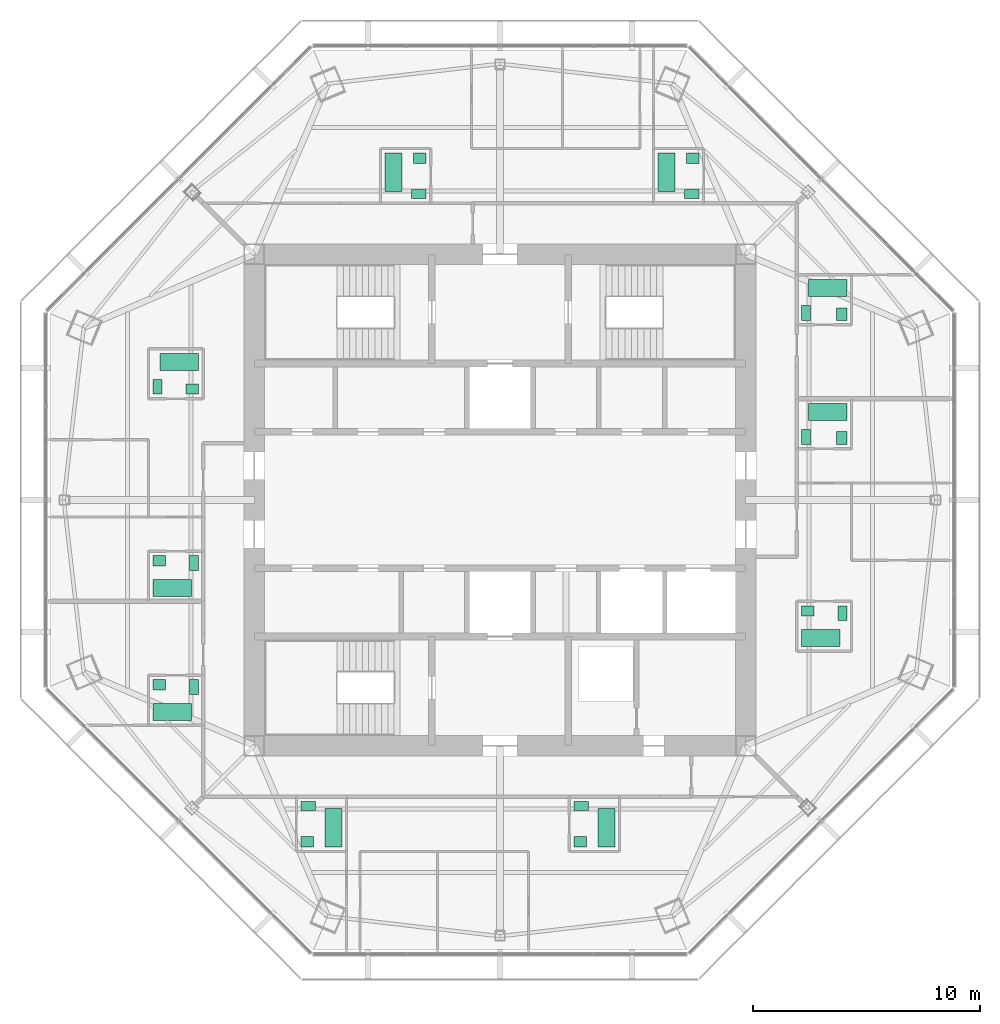
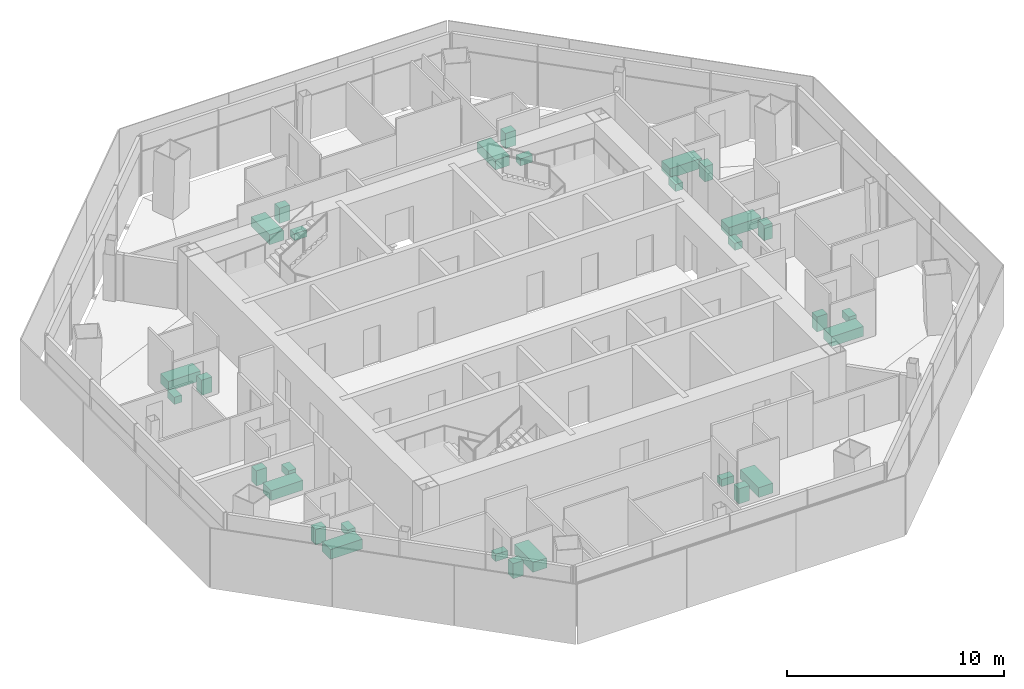
# One storey, part 14 of 14: 30 sanitary terminals.
"""IFC4 building model written with IfcOpenShell, lengths in metres."""

import ifcopenshell
import ifcopenshell.guid

model = None  # the IFC model being written
_history = None  # IfcOwnerHistory: only IFC2X3 demands one
_inside = {}  # id of a spatial element -> (the spatial element, [elements in it])
_under = {}  # id of a project, library or spatial element -> (it, [spatial elements below it])
_declared = {}  # id of a project -> (the project, [libraries it declares])
_typed = {}  # id of a type object -> (the type object, [elements of that type])
_made_of = {}  # id of a material, layer set ... -> (it, [elements and type objects made of it])


def new_model(schema):
    """Start an empty IFC model of exactly this schema.

    Asked for "IFC4X3", IfcOpenShell would pick the latest addendum, in which some entities
    have other attributes; the version numbers below select the first issue.
    IFC2X3 requires an IfcOwnerHistory on every rooted entity: one is made here for all.
    """
    global model, _history
    if schema == "IFC4X3":
        model = ifcopenshell.file(schema_version=(4, 3, 0, 0))
    else:
        model = ifcopenshell.file(schema=schema)
    _inside.clear()
    _under.clear()
    _declared.clear()
    _typed.clear()
    _made_of.clear()
    _history = None
    if model.schema == "IFC2X3":
        org = make("IfcOrganization", Name="unknown")
        user = make(
            "IfcPersonAndOrganization",
            ThePerson=make("IfcPerson", FamilyName="unknown"),
            TheOrganization=org,
        )
        app = make(
            "IfcApplication",
            ApplicationDeveloper=org,
            Version="unknown",
            ApplicationFullName="unknown",
            ApplicationIdentifier="unknown",
        )
        _history = make(
            "IfcOwnerHistory",
            OwningUser=user,
            OwningApplication=app,
            ChangeAction="ADDED",
            CreationDate=0,
        )
    return model


def make(cls, **values):
    """One entity of the class cls with the attributes given. An attribute that is None is left unset."""
    return model.create_entity(
        cls, **{name: value for name, value in values.items() if value is not None}
    )


def rooted(cls, **values):
    """An entity with a GlobalId (a new one), such as an element, a storey or a relation."""
    return make(cls, GlobalId=ifcopenshell.guid.new(), OwnerHistory=_history, **values)


def si_unit(unit_type, name, prefix=None):
    """IfcSIUnit, for example si_unit("LENGTHUNIT", "METRE", prefix="MILLI")."""
    return make("IfcSIUnit", UnitType=unit_type, Prefix=prefix, Name=name)


def assignment(units):
    """IfcUnitAssignment: the units of a project."""
    return None if units is None else make("IfcUnitAssignment", Units=units)


def point(xyz):
    """IfcCartesianPoint."""
    return None if xyz is None else make("IfcCartesianPoint", Coordinates=xyz)


def direction(xyz):
    """IfcDirection."""
    return None if xyz is None else make("IfcDirection", DirectionRatios=xyz)


def frame(location, z_axis=None, x_axis=None):
    """IfcAxis2Placement3D, a coordinate frame: its origin and axes. An axis left out is left unset."""
    return make(
        "IfcAxis2Placement3D",
        Location=point(location),
        Axis=direction(z_axis),
        RefDirection=direction(x_axis),
    )


def frame_2d(location, x_axis=None):
    """IfcAxis2Placement2D, a coordinate frame in the plane: its origin and x axis."""
    return make(
        "IfcAxis2Placement2D", Location=point(location), RefDirection=direction(x_axis)
    )


def origin():
    """The frame at (0, 0, 0) with its axes left unset."""
    return frame((0.0, 0.0, 0.0))


def origin_2d():
    """The frame at (0, 0) in the plane with its x axis left unset."""
    return frame_2d((0.0, 0.0))


def place(relative_to, where):
    """IfcLocalPlacement: puts the frame where relative to a parent placement (None: the world)."""
    return make(
        "IfcLocalPlacement", PlacementRelTo=relative_to, RelativePlacement=where
    )


def context(
    kind, dimensions, precision=None, world=None, true_north=None, identifier=None
):
    """IfcGeometricRepresentationContext, for example the 3D "Model" context."""
    return make(
        "IfcGeometricRepresentationContext",
        ContextIdentifier=identifier,
        ContextType=kind,
        CoordinateSpaceDimension=dimensions,
        Precision=precision,
        WorldCoordinateSystem=world,
        TrueNorth=true_north,
    )


def subcontext(parent, identifier, kind, view, scale=None):
    """IfcGeometricRepresentationSubContext, for example "Body" below "Model"."""
    return make(
        "IfcGeometricRepresentationSubContext",
        ContextIdentifier=identifier,
        ContextType=kind,
        ParentContext=parent,
        TargetScale=scale,
        TargetView=view,
    )


def project(units=None, contexts=None):
    """IfcProject with its units and contexts."""
    return rooted(
        "IfcProject",
        Name="project",
        RepresentationContexts=contexts,
        UnitsInContext=assignment(units),
    )


def spatial(cls, under=None, at=None, **own):
    """A site, building, storey or space (cls), placed at a placement, below another one or the project."""
    s = rooted(cls, ObjectPlacement=at, **own)
    if under is not None:
        _under.setdefault(under.id(), (under, []))[1].append(s)
    return s


def profile(cls, at=None, kind="AREA", **sizes):
    """A parametric profile (cls). Its sizes go by their IFC names, for example OverallWidth=200.0."""
    return make(cls, ProfileType=kind, Position=at, **sizes)


def rectangle(**sizes):
    """IfcRectangleProfileDef."""
    return profile("IfcRectangleProfileDef", **sizes)


def extrude(swept, where, along, depth):
    """IfcExtrudedAreaSolid: the profile swept, set in the frame where, extruded along a direction by depth."""
    return make(
        "IfcExtrudedAreaSolid",
        SweptArea=swept,
        Position=where,
        ExtrudedDirection=direction(along),
        Depth=depth,
    )


def shape(context_of_items, identifier, shape_type, items):
    """IfcShapeRepresentation: the items that make up one representation, for example the "Body"."""
    return make(
        "IfcShapeRepresentation",
        ContextOfItems=context_of_items,
        RepresentationIdentifier=identifier,
        RepresentationType=shape_type,
        Items=items,
    )


def material(Name=None, Category=None):
    """IfcMaterial."""
    return make("IfcMaterial", Name=Name, Category=Category)


def made_of(thing, what):
    """Note that an element or type object is made of a material, layer set ...; save() writes the relation."""
    if what is not None:
        _made_of.setdefault(what.id(), (what, []))[1].append(thing)
    return thing


def type_object(cls, material=None, **own):
    """A type object (cls), such as IfcWallType, which elements share."""
    return made_of(rooted(cls, **own), material)


def element(
    cls,
    number,
    at=None,
    inside=None,
    cuts=None,
    type_object=None,
    material=None,
    context=None,
    identifier="Body",
    shape_type=None,
    held_by="IfcProductDefinitionShape",
    body=None,
    shapes=None,
    **own,
):
    """One element of the class cls, such as IfcWall. Its Tag is "e" and its number.

    at: its placement. inside: the storey or other place that contains it. cuts: it is an
    opening in that element (IfcRelVoidsElement). A single representation is given by context,
    identifier, shape_type and body (its items); several are given by shapes. held_by: the class
    of the entity that holds the representations. save() writes the other relations.
    """
    e = rooted(cls, Tag="e%d" % number, ObjectPlacement=at, **own)
    if body is not None:
        shapes = [shape(context, identifier, shape_type, body)]
    if shapes is not None:
        e.Representation = make(held_by, Representations=shapes)
    if inside is not None:
        _inside.setdefault(inside.id(), (inside, []))[1].append(e)
    if cuts is not None:
        rooted(
            "IfcRelVoidsElement", RelatingBuildingElement=cuts, RelatedOpeningElement=e
        )
    if type_object is not None:
        _typed.setdefault(type_object.id(), (type_object, []))[1].append(e)
    return made_of(e, material)


def aggregate(whole, parts):
    """IfcRelAggregates: a whole, such as a stair, and the parts it consists of."""
    return rooted("IfcRelAggregates", RelatingObject=whole, RelatedObjects=parts)


def save(model, path):
    """Write the relations noted so far, then the file.

    IfcRelAggregates (storeys below a building ...), IfcRelContainedInSpatialStructure (elements
    in a storey), IfcRelDefinesByType, IfcRelAssociatesMaterial and IfcRelDeclares: one each for
    every whole, place, type object, material and project.
    """
    for whole, parts in _under.values():
        aggregate(whole, parts)
    for where, things in _inside.values():
        rooted(
            "IfcRelContainedInSpatialStructure",
            RelatedElements=things,
            RelatingStructure=where,
        )
    for kind, things in _typed.values():
        rooted("IfcRelDefinesByType", RelatedObjects=things, RelatingType=kind)
    for what, things in _made_of.values():
        rooted("IfcRelAssociatesMaterial", RelatedObjects=things, RelatingMaterial=what)
    for by, libraries in _declared.values():
        rooted("IfcRelDeclares", RelatingContext=by, RelatedDefinitions=libraries)
    model.write(path)


model = new_model("IFC4")

# Units and contexts
model_context = context("Model", 3, precision=1e-05, world=origin(), true_north=direction((0.0, 1.0)))
body_context = subcontext(model_context, "Body", "Model", "MODEL_VIEW")
ifc_project = project(units=[si_unit("LENGTHUNIT", "METRE"), si_unit("AREAUNIT", "SQUARE_METRE"), si_unit("VOLUMEUNIT", "CUBIC_METRE"), si_unit("PLANEANGLEUNIT", "RADIAN"), si_unit("MASSUNIT", "GRAM", prefix="KILO")], contexts=[model_context])

# Site, building, storey
site_placement = place(None, origin())
site = spatial("IfcSite", under=ifc_project, at=site_placement, CompositionType="ELEMENT")
building_placement = place(site_placement, origin())
building = spatial("IfcBuilding", under=site, at=building_placement, Name="Mashrafa Tower", CompositionType="ELEMENT")
storey_placement = place(building_placement, frame((0.0, 0.0, 284.39990234375)))
storey = spatial("IfcBuildingStorey", under=building, at=storey_placement, Name="L69", CompositionType="ELEMENT", Elevation=284.39990234375)

# Sanitary terminals
ifc_material_1 = material(Name="Enamelled steel", Category="steel")
sanitary_terminal_type_1 = type_object("IfcSanitaryTerminalType", Name="Bath 1700 x 750", PredefinedType="BATH", material=ifc_material_1)
for number, where, z_axis, x_axis, name in (
    (1, (14.10009765625, -6.074951171875, 0.0), (0.0, 0.0, 1.0), (1.0, 0.0, 0.0), "Bath Apartment 6901 Bathroom"),
    (2, (14.39990234375, 3.875, 0.0), (0.0, 0.0, 1.0), (-1.0, 0.0, 0.0), "Bath Apartment 6901 En-suite Bathroom"),
    (3, (14.39990234375, 9.324951171875, 0.0), (0.0, 0.0, 1.0), (-1.0, 0.0, 0.0), "Bath Apartment 6902 Bathroom"),
    (4, (-4.675048828125, 14.39990234375, 0.0), (0.0, 0.0, 1.0), (0.0, -1.0, 0.0), "Bath Apartment 6903 Bathroom"),
    (5, (7.324951171875, 14.39990234375, 0.0), (0.0, 0.0, 1.0), (0.0, -1.0, 0.0), "Bath Apartment 6903 En-suite Bathroom"),
    (6, (-14.10009765625, 6.074951171875, 0.0), (0.0, 0.0, 1.0), (-1.0, 0.0, 0.0), "Bath Apartment 6904 Bathroom"),
    (7, (-14.39990234375, -3.875, 0.0), (0.0, 0.0, 1.0), (1.0, 0.0, 0.0), "Bath Apartment 6904 En-suite Bathroom"),
    (8, (-14.39990234375, -9.324951171875, 0.0), (0.0, 0.0, 1.0), (1.0, 0.0, 0.0), "Bath Apartment 6905 Bathroom"),
    (9, (4.675048828125, -14.39990234375, 0.0), (0.0, 0.0, 1.0), (0.0, 1.0, 0.0), "Bath Apartment 6906 Bathroom"),
    (10, (-7.324951171875, -14.39990234375, 0.0), (0.0, 0.0, 1.0), (0.0, 1.0, 0.0), "Bath Apartment 6906 En-suite Bathroom"),
):
    element("IfcSanitaryTerminal", number, at=place(storey_placement, frame(where, z_axis=z_axis, x_axis=x_axis)), inside=storey, type_object=sanitary_terminal_type_1, Name=name, PredefinedType="BATH", context=body_context, shape_type="SweptSolid", body=[
        extrude(rectangle(XDim=1.699951171875, YDim=0.75, at=origin_2d()), origin(), (0.0, 0.0, 1.0), 0.550048828125),
    ])
ifc_material_2 = material(Name="Vitreous china")
sanitary_terminal_type_2 = type_object("IfcSanitaryTerminalType", Name="Toilet pan 400 x 650", PredefinedType="TOILETPAN", material=ifc_material_2)
for number, where, z_axis, x_axis, name in (
    (11, (15.050048828125, -4.97509765625, 0.000244140625), (0.0, 0.0, 1.0), (-1.0, 0.0, 0.0), "Toilet pan Apartment 6901 Bathroom"),
    (12, (13.449951171875, 2.77490234375, 0.000244140625), (0.0, 0.0, 1.0), (1.0, 0.0, 0.0), "Toilet pan Apartment 6901 En-suite Bathroom"),
    (13, (13.449951171875, 8.22509765625, 0.000244140625), (0.0, 0.0, 1.0), (1.0, 0.0, 0.0), "Toilet pan Apartment 6902 Bathroom"),
    (14, (-3.574951171875, 13.449951171875, 0.000244140625), (0.0, 0.0, 1.0), (0.0, 1.0, 0.0), "Toilet pan Apartment 6903 Bathroom"),
    (15, (8.425048828125, 13.449951171875, 0.000244140625), (0.0, 0.0, 1.0), (0.0, 1.0, 0.0), "Toilet pan Apartment 6903 En-suite Bathroom"),
    (16, (-15.050048828125, 4.97509765625, 0.000244140625), (0.0, 0.0, 1.0), (1.0, 0.0, 0.0), "Toilet pan Apartment 6904 Bathroom"),
    (17, (-13.449951171875, -2.77490234375, 0.000244140625), (0.0, 0.0, 1.0), (-1.0, 0.0, 0.0), "Toilet pan Apartment 6904 En-suite Bathroom"),
    (18, (-13.449951171875, -8.22509765625, 0.000244140625), (0.0, 0.0, 1.0), (-1.0, 0.0, 0.0), "Toilet pan Apartment 6905 Bathroom"),
    (19, (3.574951171875, -13.449951171875, 0.000244140625), (0.0, 0.0, 1.0), (0.0, -1.0, 0.0), "Toilet pan Apartment 6906 Bathroom"),
    (20, (-8.425048828125, -13.449951171875, 0.000244140625), (0.0, 0.0, 1.0), (0.0, -1.0, 0.0), "Toilet pan Apartment 6906 En-suite Bathroom"),
):
    element("IfcSanitaryTerminal", number, at=place(storey_placement, frame(where, z_axis=z_axis, x_axis=x_axis)), inside=storey, type_object=sanitary_terminal_type_2, Name=name, PredefinedType="TOILETPAN", context=body_context, shape_type="SweptSolid", body=[
        extrude(rectangle(XDim=0.39990234375, YDim=0.64990234375, at=origin_2d()), origin(), (0.0, 0.0, 1.0), 0.39990234375),
    ])
ifc_material_3 = material(Name="Vitreous china")
sanitary_terminal_type_3 = type_object("IfcSanitaryTerminalType", Name="Wash basin 550 x 450", PredefinedType="WASHHANDBASIN", material=ifc_material_3)
for number, where, z_axis, x_axis, name in (
    (21, (13.52490234375, -4.875, 0.0), (0.0, 0.0, 1.0), (-1.0, 0.0, 0.0), "Wash basin Apartment 6901 Bathroom"),
    (22, (15.02490234375, 2.72509765625, 0.0), (0.0, 0.0, 1.0), (0.0, 1.0, 0.0), "Wash basin Apartment 6901 En-suite Bathroom"),
    (23, (15.02490234375, 8.175048828125, 0.0), (0.0, 0.0, 1.0), (0.0, 1.0, 0.0), "Wash basin Apartment 6902 Bathroom"),
    (24, (-3.52490234375, 15.02490234375, 0.0), (0.0, 0.0, 1.0), (-1.0, 0.0, 0.0), "Wash basin Apartment 6903 Bathroom"),
    (25, (8.47509765625, 15.02490234375, 0.0), (0.0, 0.0, 1.0), (-1.0, 0.0, 0.0), "Wash basin Apartment 6903 En-suite Bathroom"),
    (26, (-13.52490234375, 4.875, 0.0), (0.0, 0.0, 1.0), (1.0, 0.0, 0.0), "Wash basin Apartment 6904 Bathroom"),
    (27, (-14.97509765625, -2.675048828125, 0.0), (0.0, 0.0, 1.0), (-1.0, 0.0, 0.0), "Wash basin Apartment 6904 En-suite Bathroom"),
    (28, (-14.97509765625, -8.125, 0.0), (0.0, 0.0, 1.0), (-1.0, 0.0, 0.0), "Wash basin Apartment 6905 Bathroom"),
    (29, (3.52490234375, -15.02490234375, 0.0), (0.0, 0.0, 1.0), (1.0, 0.0, 0.0), "Wash basin Apartment 6906 Bathroom"),
    (30, (-8.47509765625, -15.02490234375, 0.0), (0.0, 0.0, 1.0), (1.0, 0.0, 0.0), "Wash basin Apartment 6906 En-suite Bathroom"),
):
    element("IfcSanitaryTerminal", number, at=place(storey_placement, frame(where, z_axis=z_axis, x_axis=x_axis)), inside=storey, type_object=sanitary_terminal_type_3, Name=name, PredefinedType="WASHHANDBASIN", context=body_context, shape_type="SweptSolid", body=[
        extrude(rectangle(XDim=0.550048828125, YDim=0.449951171875, at=origin_2d()), origin(), (0.0, 0.0, 1.0), 0.85009765625),
    ])

save(model, "model.ifc")
